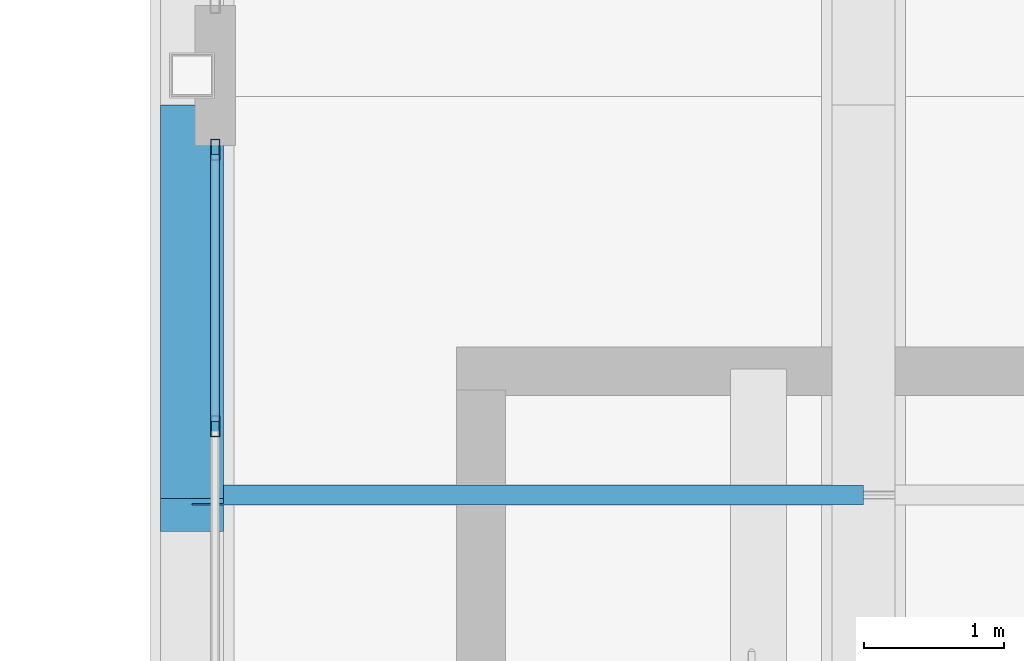
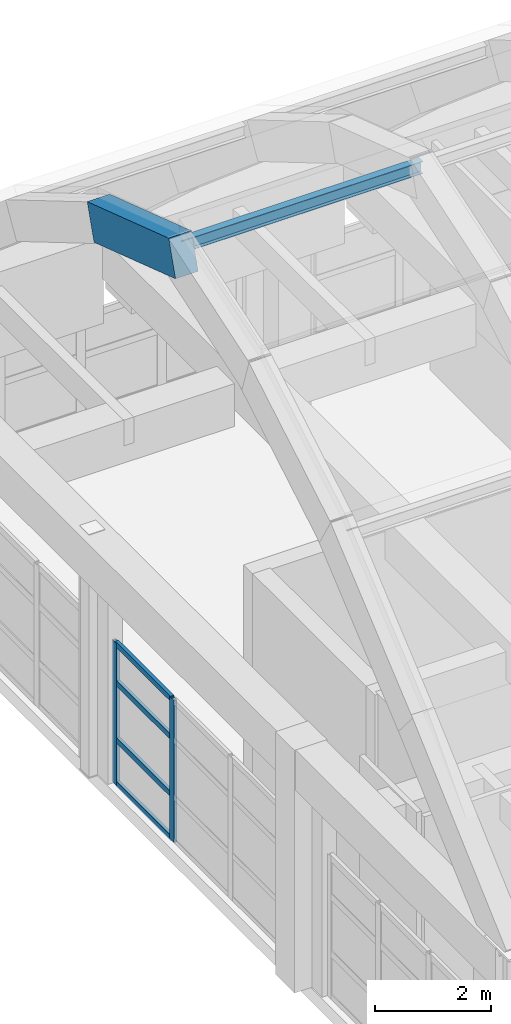
# One storey, part 34 of 78: 7 members, 1 beam, 1 element without a shape of its own.
"""IFC4 building model written with IfcOpenShell, lengths in metres."""

from ifc_helpers import new_model, si_unit, direction, frame, origin, origin_2d, place, context, subcontext, project, spatial, rectangle, hollow_rectangle, i_section, extrude, material, layer, layer_set, material_profile, profile_set, type_object, element, aggregate, save


model = new_model("IFC4")

# Units and contexts
model_context = context("Model", 3, precision=1e-05, world=origin(), true_north=direction((0.0, 1.0)))
body_context = subcontext(model_context, "Body", "Model", "MODEL_VIEW")
ifc_project = project(units=[si_unit("LENGTHUNIT", "METRE"), si_unit("AREAUNIT", "SQUARE_METRE"), si_unit("VOLUMEUNIT", "CUBIC_METRE"), si_unit("PLANEANGLEUNIT", "RADIAN"), si_unit("MASSUNIT", "GRAM", prefix="KILO")], contexts=[model_context])

# Site, building, storey
site_placement = place(None, origin())
site = spatial("IfcSite", under=ifc_project, at=site_placement, CompositionType="ELEMENT")
building_placement = place(site_placement, origin())
building = spatial("IfcBuilding", under=site, at=building_placement, Name="Quendrovan Civic Courthouse", CompositionType="ELEMENT")
storey_placement = place(building_placement, frame((0.0, 0.0, 20.39990234375)))
storey = spatial("IfcBuildingStorey", under=building, at=storey_placement, Name="L05", CompositionType="ELEMENT", Elevation=20.39990234375)

# Beam
ifc_material_1 = material(Name="Concrete C40/50", Category="concrete")
ifc_material_profile_1 = material_profile(ifc_material_1, rectangle(XDim=0.449951171875, YDim=0.75, at=origin_2d()), Name="RC-VRIB-450x750")
ifc_profile_set_1 = profile_set([ifc_material_profile_1], Name="Concrete C40/50")
beam_type = type_object("IfcBeamType", Name="BM-VRIB750", PredefinedType="BEAM", material=ifc_profile_set_1)
beam_placement = place(storey_placement, frame((109.199951171875, 98.8583984375, 12.746337890625), z_axis=(0.0, 0.948872737185, -0.315658880164), x_axis=(-1.0, 0.0, 0.0)))
element("IfcBeam", 1, at=beam_placement, inside=storey, type_object=beam_type, Name="BV1 Concrete Vault Arch Rib A1-C5", PredefinedType="BEAM", context=body_context, shape_type="SweptSolid", body=[
    extrude(rectangle(XDim=0.449951171875, YDim=0.75, at=origin_2d()), origin(), (0.0, 0.0, 1.0), 2.96142578125),
])

# Curtain wall, members
ifc_material_2 = material(Name="Bronze anodised aluminium and low-E glass", Category="aluminium")
ifc_layer = layer(ifc_material_2, 0.179931640625, Name="Bronze anodised aluminium and low-E glass")
ifc_layer_set = layer_set([ifc_layer], Name="Bronze anodised aluminium and low-E glass")
curtain_wall_type = type_object("IfcCurtainWallType", Name="CW-U60x30", PredefinedType="USERDEFINED", material=ifc_layer_set)
curtain_wall_placement = place(storey_placement, origin())
curtain_wall = element("IfcCurtainWall", 2, at=curtain_wall_placement, inside=storey, type_object=curtain_wall_type, Name="L05 Unitised Hurricane Curtain Wall CW-203", ObjectType="UNITISED CURTAIN WALL", PredefinedType="USERDEFINED")
ifc_material_3 = material(Name="Bronze anodised aluminium", Category="aluminium")
ifc_material_profile_2 = material_profile(ifc_material_3, hollow_rectangle(XDim=0.06494140625, YDim=0.14990234375, WallThickness=0.00390625, at=origin_2d()), Name="CW-MULL-65x150")
ifc_profile_set_2 = profile_set([ifc_material_profile_2], Name="Bronze anodised aluminium")
member_type_1 = type_object("IfcMemberType", Name="CW-MULL-B", PredefinedType="MULLION", material=ifc_profile_set_2)
member_1_placement = place(storey_placement, frame((109.364990234375, 99.49169921875, 0.0), z_axis=(0.0, 0.0, 1.0), x_axis=(-1.0, 0.0, 0.0)))
member_1 = element("IfcMember", 3, at=member_1_placement, type_object=member_type_1, Name="CW-203 mullion 3", PredefinedType="MULLION", context=body_context, shape_type="SweptSolid", body=[
    extrude(hollow_rectangle(XDim=0.06494140625, YDim=0.14990234375, WallThickness=0.00390625, at=origin_2d()), origin(), (0.0, 0.0, 1.0), 2.989990234375),
])
member_2_placement = place(storey_placement, frame((109.364990234375, 101.467529296875, 0.0), z_axis=(0.0, 0.0, 1.0), x_axis=(-1.0, 0.0, 0.0)))
member_2 = element("IfcMember", 4, at=member_2_placement, type_object=member_type_1, Name="CW-203 mullion 4", PredefinedType="MULLION", context=body_context, shape_type="SweptSolid", body=[
    extrude(hollow_rectangle(XDim=0.06494140625, YDim=0.14990234375, WallThickness=0.00390625, at=origin_2d()), origin(), (0.0, 0.0, 1.0), 2.989990234375),
])
ifc_material_profile_3 = material_profile(ifc_material_3, hollow_rectangle(XDim=0.06494140625, YDim=0.114990234375, WallThickness=0.00390625, at=origin_2d()), Name="CW-TRAN-65x115")
ifc_profile_set_3 = profile_set([ifc_material_profile_3], Name="Bronze anodised aluminium")
member_type_2 = type_object("IfcMemberType", Name="CW-TRAN-B", PredefinedType="USERDEFINED", material=ifc_profile_set_3)
member_3_placement = place(storey_placement, frame((109.364990234375, 99.524169921875, 0.03271484375), z_axis=(0.0, 1.0, 0.0), x_axis=(-1.0, 0.0, 0.0)))
member_3 = element("IfcMember", 5, at=member_3_placement, type_object=member_type_2, Name="CW-203 transom 3.1", ObjectType="TRANSOM", PredefinedType="USERDEFINED", context=body_context, shape_type="SweptSolid", body=[
    extrude(hollow_rectangle(XDim=0.06494140625, YDim=0.114990234375, WallThickness=0.00390625, at=origin_2d()), origin(), (0.0, 0.0, 1.0), 1.910888671875),
])
member_4_placement = place(storey_placement, frame((109.364990234375, 99.524169921875, 0.9501953125), z_axis=(0.0, 1.0, 0.0), x_axis=(-1.0, 0.0, 0.0)))
member_4 = element("IfcMember", 6, at=member_4_placement, type_object=member_type_2, Name="CW-203 transom 3.2", ObjectType="TRANSOM", PredefinedType="USERDEFINED", context=body_context, shape_type="SweptSolid", body=[
    extrude(hollow_rectangle(XDim=0.06494140625, YDim=0.114990234375, WallThickness=0.00390625, at=origin_2d()), origin(), (0.0, 0.0, 1.0), 1.910888671875),
])
member_5_placement = place(storey_placement, frame((109.364990234375, 99.524169921875, 2.150146484375), z_axis=(0.0, 1.0, 0.0), x_axis=(-1.0, 0.0, 0.0)))
member_5 = element("IfcMember", 7, at=member_5_placement, type_object=member_type_2, Name="CW-203 transom 3.3", ObjectType="TRANSOM", PredefinedType="USERDEFINED", context=body_context, shape_type="SweptSolid", body=[
    extrude(hollow_rectangle(XDim=0.06494140625, YDim=0.114990234375, WallThickness=0.00390625, at=origin_2d()), origin(), (0.0, 0.0, 1.0), 1.910888671875),
])
member_6_placement = place(storey_placement, frame((109.364990234375, 99.524169921875, 2.95751953125), z_axis=(0.0, 1.0, 0.0), x_axis=(-1.0, 0.0, 0.0)))
member_6 = element("IfcMember", 8, at=member_6_placement, type_object=member_type_2, Name="CW-203 transom 3.4", ObjectType="TRANSOM", PredefinedType="USERDEFINED", context=body_context, shape_type="SweptSolid", body=[
    extrude(hollow_rectangle(XDim=0.06494140625, YDim=0.114990234375, WallThickness=0.00390625, at=origin_2d()), origin(), (0.0, 0.0, 1.0), 1.910888671875),
])
aggregate(curtain_wall, [member_1, member_2, member_3, member_4, member_5, member_6])

# Member
ifc_material_4 = material(Name="Steel ASTM A992 Grade 50", Category="steel")
ifc_material_profile_4 = material_profile(ifc_material_4, i_section(OverallWidth=0.14599609375, OverallDepth=0.258056640625, WebThickness=0.006103515625, FlangeThickness=0.009033203125, at=origin_2d()), Name="W250x33")
ifc_profile_set_4 = profile_set([ifc_material_profile_4], Name="Steel ASTM A992 Grade 50")
member_type_3 = type_object("IfcMemberType", Name="MEM-PUR-W250", PredefinedType="PURLIN", material=ifc_profile_set_4)
member_7_placement = place(storey_placement, frame((109.199951171875, 99.0, 12.860107421875), z_axis=(1.0, 0.0, 0.0), x_axis=(0.0, 1.0, 0.0)))
element("IfcMember", 9, at=member_7_placement, inside=storey, type_object=member_type_3, Name="BV1 Vault Longitudinal Purlin B1-2", PredefinedType="PURLIN", context=body_context, shape_type="SweptSolid", body=[
    extrude(i_section(OverallWidth=0.14599609375, OverallDepth=0.258056640625, WebThickness=0.006103515625, FlangeThickness=0.009033203125, at=origin_2d()), origin(), (0.0, 0.0, 1.0), 4.800048828125),
])

save(model, "model.ifc")
